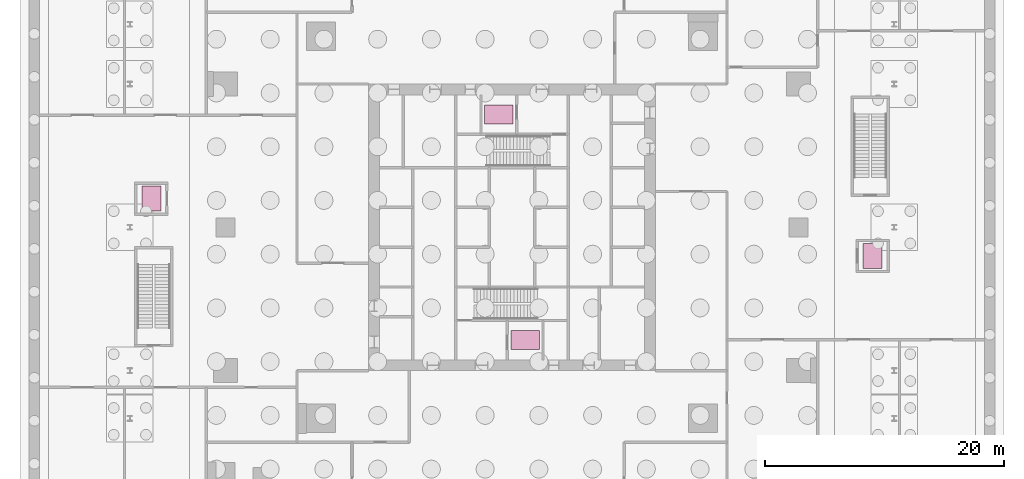
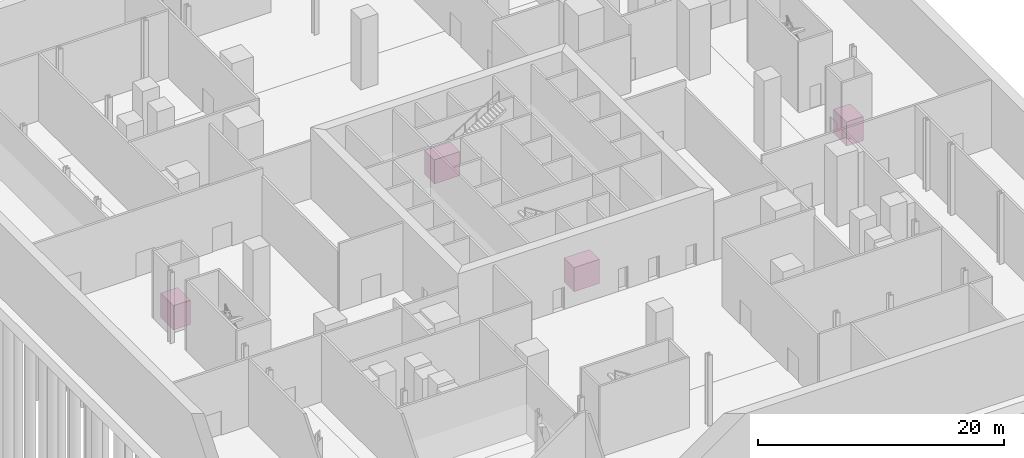
# One storey, part 15 of 15: 4 transport elements.
"""IFC4 building model written with IfcOpenShell, lengths in metres."""

import ifcopenshell
import ifcopenshell.guid

model = None  # the IFC model being written
_history = None  # IfcOwnerHistory: only IFC2X3 demands one
_inside = {}  # id of a spatial element -> (the spatial element, [elements in it])
_under = {}  # id of a project, library or spatial element -> (it, [spatial elements below it])
_declared = {}  # id of a project -> (the project, [libraries it declares])
_typed = {}  # id of a type object -> (the type object, [elements of that type])
_made_of = {}  # id of a material, layer set ... -> (it, [elements and type objects made of it])


def new_model(schema):
    """Start an empty IFC model of exactly this schema.

    Asked for "IFC4X3", IfcOpenShell would pick the latest addendum, in which some entities
    have other attributes; the version numbers below select the first issue.
    IFC2X3 requires an IfcOwnerHistory on every rooted entity: one is made here for all.
    """
    global model, _history
    if schema == "IFC4X3":
        model = ifcopenshell.file(schema_version=(4, 3, 0, 0))
    else:
        model = ifcopenshell.file(schema=schema)
    _inside.clear()
    _under.clear()
    _declared.clear()
    _typed.clear()
    _made_of.clear()
    _history = None
    if model.schema == "IFC2X3":
        org = make("IfcOrganization", Name="unknown")
        user = make(
            "IfcPersonAndOrganization",
            ThePerson=make("IfcPerson", FamilyName="unknown"),
            TheOrganization=org,
        )
        app = make(
            "IfcApplication",
            ApplicationDeveloper=org,
            Version="unknown",
            ApplicationFullName="unknown",
            ApplicationIdentifier="unknown",
        )
        _history = make(
            "IfcOwnerHistory",
            OwningUser=user,
            OwningApplication=app,
            ChangeAction="ADDED",
            CreationDate=0,
        )
    return model


def make(cls, **values):
    """One entity of the class cls with the attributes given. An attribute that is None is left unset."""
    return model.create_entity(
        cls, **{name: value for name, value in values.items() if value is not None}
    )


def rooted(cls, **values):
    """An entity with a GlobalId (a new one), such as an element, a storey or a relation."""
    return make(cls, GlobalId=ifcopenshell.guid.new(), OwnerHistory=_history, **values)


def si_unit(unit_type, name, prefix=None):
    """IfcSIUnit, for example si_unit("LENGTHUNIT", "METRE", prefix="MILLI")."""
    return make("IfcSIUnit", UnitType=unit_type, Prefix=prefix, Name=name)


def assignment(units):
    """IfcUnitAssignment: the units of a project."""
    return None if units is None else make("IfcUnitAssignment", Units=units)


def point(xyz):
    """IfcCartesianPoint."""
    return None if xyz is None else make("IfcCartesianPoint", Coordinates=xyz)


def direction(xyz):
    """IfcDirection."""
    return None if xyz is None else make("IfcDirection", DirectionRatios=xyz)


def frame(location, z_axis=None, x_axis=None):
    """IfcAxis2Placement3D, a coordinate frame: its origin and axes. An axis left out is left unset."""
    return make(
        "IfcAxis2Placement3D",
        Location=point(location),
        Axis=direction(z_axis),
        RefDirection=direction(x_axis),
    )


def frame_2d(location, x_axis=None):
    """IfcAxis2Placement2D, a coordinate frame in the plane: its origin and x axis."""
    return make(
        "IfcAxis2Placement2D", Location=point(location), RefDirection=direction(x_axis)
    )


def origin():
    """The frame at (0, 0, 0) with its axes left unset."""
    return frame((0.0, 0.0, 0.0))


def origin_2d():
    """The frame at (0, 0) in the plane with its x axis left unset."""
    return frame_2d((0.0, 0.0))


def place(relative_to, where):
    """IfcLocalPlacement: puts the frame where relative to a parent placement (None: the world)."""
    return make(
        "IfcLocalPlacement", PlacementRelTo=relative_to, RelativePlacement=where
    )


def context(
    kind, dimensions, precision=None, world=None, true_north=None, identifier=None
):
    """IfcGeometricRepresentationContext, for example the 3D "Model" context."""
    return make(
        "IfcGeometricRepresentationContext",
        ContextIdentifier=identifier,
        ContextType=kind,
        CoordinateSpaceDimension=dimensions,
        Precision=precision,
        WorldCoordinateSystem=world,
        TrueNorth=true_north,
    )


def subcontext(parent, identifier, kind, view, scale=None):
    """IfcGeometricRepresentationSubContext, for example "Body" below "Model"."""
    return make(
        "IfcGeometricRepresentationSubContext",
        ContextIdentifier=identifier,
        ContextType=kind,
        ParentContext=parent,
        TargetScale=scale,
        TargetView=view,
    )


def project(units=None, contexts=None):
    """IfcProject with its units and contexts."""
    return rooted(
        "IfcProject",
        Name="project",
        RepresentationContexts=contexts,
        UnitsInContext=assignment(units),
    )


def spatial(cls, under=None, at=None, **own):
    """A site, building, storey or space (cls), placed at a placement, below another one or the project."""
    s = rooted(cls, ObjectPlacement=at, **own)
    if under is not None:
        _under.setdefault(under.id(), (under, []))[1].append(s)
    return s


def profile(cls, at=None, kind="AREA", **sizes):
    """A parametric profile (cls). Its sizes go by their IFC names, for example OverallWidth=200.0."""
    return make(cls, ProfileType=kind, Position=at, **sizes)


def rectangle(**sizes):
    """IfcRectangleProfileDef."""
    return profile("IfcRectangleProfileDef", **sizes)


def extrude(swept, where, along, depth):
    """IfcExtrudedAreaSolid: the profile swept, set in the frame where, extruded along a direction by depth."""
    return make(
        "IfcExtrudedAreaSolid",
        SweptArea=swept,
        Position=where,
        ExtrudedDirection=direction(along),
        Depth=depth,
    )


def shape(context_of_items, identifier, shape_type, items):
    """IfcShapeRepresentation: the items that make up one representation, for example the "Body"."""
    return make(
        "IfcShapeRepresentation",
        ContextOfItems=context_of_items,
        RepresentationIdentifier=identifier,
        RepresentationType=shape_type,
        Items=items,
    )


def material(Name=None, Category=None):
    """IfcMaterial."""
    return make("IfcMaterial", Name=Name, Category=Category)


def made_of(thing, what):
    """Note that an element or type object is made of a material, layer set ...; save() writes the relation."""
    if what is not None:
        _made_of.setdefault(what.id(), (what, []))[1].append(thing)
    return thing


def type_object(cls, material=None, **own):
    """A type object (cls), such as IfcWallType, which elements share."""
    return made_of(rooted(cls, **own), material)


def element(
    cls,
    number,
    at=None,
    inside=None,
    cuts=None,
    type_object=None,
    material=None,
    context=None,
    identifier="Body",
    shape_type=None,
    held_by="IfcProductDefinitionShape",
    body=None,
    shapes=None,
    **own,
):
    """One element of the class cls, such as IfcWall. Its Tag is "e" and its number.

    at: its placement. inside: the storey or other place that contains it. cuts: it is an
    opening in that element (IfcRelVoidsElement). A single representation is given by context,
    identifier, shape_type and body (its items); several are given by shapes. held_by: the class
    of the entity that holds the representations. save() writes the other relations.
    """
    e = rooted(cls, Tag="e%d" % number, ObjectPlacement=at, **own)
    if body is not None:
        shapes = [shape(context, identifier, shape_type, body)]
    if shapes is not None:
        e.Representation = make(held_by, Representations=shapes)
    if inside is not None:
        _inside.setdefault(inside.id(), (inside, []))[1].append(e)
    if cuts is not None:
        rooted(
            "IfcRelVoidsElement", RelatingBuildingElement=cuts, RelatedOpeningElement=e
        )
    if type_object is not None:
        _typed.setdefault(type_object.id(), (type_object, []))[1].append(e)
    return made_of(e, material)


def aggregate(whole, parts):
    """IfcRelAggregates: a whole, such as a stair, and the parts it consists of."""
    return rooted("IfcRelAggregates", RelatingObject=whole, RelatedObjects=parts)


def save(model, path):
    """Write the relations noted so far, then the file.

    IfcRelAggregates (storeys below a building ...), IfcRelContainedInSpatialStructure (elements
    in a storey), IfcRelDefinesByType, IfcRelAssociatesMaterial and IfcRelDeclares: one each for
    every whole, place, type object, material and project.
    """
    for whole, parts in _under.values():
        aggregate(whole, parts)
    for where, things in _inside.values():
        rooted(
            "IfcRelContainedInSpatialStructure",
            RelatedElements=things,
            RelatingStructure=where,
        )
    for kind, things in _typed.values():
        rooted("IfcRelDefinesByType", RelatedObjects=things, RelatingType=kind)
    for what, things in _made_of.values():
        rooted("IfcRelAssociatesMaterial", RelatedObjects=things, RelatingMaterial=what)
    for by, libraries in _declared.values():
        rooted("IfcRelDeclares", RelatingContext=by, RelatedDefinitions=libraries)
    model.write(path)


model = new_model("IFC4")

# Units and contexts
model_context = context("Model", 3, precision=1e-05, world=origin(), true_north=direction((0.0, 1.0)))
body_context = subcontext(model_context, "Body", "Model", "MODEL_VIEW")
ifc_project = project(units=[si_unit("LENGTHUNIT", "METRE"), si_unit("AREAUNIT", "SQUARE_METRE"), si_unit("VOLUMEUNIT", "CUBIC_METRE"), si_unit("PLANEANGLEUNIT", "RADIAN"), si_unit("MASSUNIT", "GRAM", prefix="KILO")], contexts=[model_context])

# Site, building, storey
site_placement = place(None, origin())
site = spatial("IfcSite", under=ifc_project, at=site_placement, CompositionType="ELEMENT")
building_placement = place(site_placement, origin())
building = spatial("IfcBuilding", under=site, at=building_placement, Name="Fenwick Lantern Interchange", CompositionType="ELEMENT")
storey_placement = place(building_placement, frame((0.0, 0.0, -7.0)))
storey = spatial("IfcBuildingStorey", under=building, at=storey_placement, Name="B-1", CompositionType="ELEMENT", Elevation=-7.0)

# Transport elements
ifc_material = material(Name="Steel lift car", Category="steel")
transport_element_type_1 = type_object("IfcTransportElementType", Name="FIREFIGHTING LIFT 2000 KG", PredefinedType="ELEVATOR", material=ifc_material)
for number, where, z_axis, x_axis, name in (
    (1, (26.10009765625, 15.550048828125, 0.0), (0.0, 0.0, 1.0), (1.0, 0.0, 0.0), "Firefighting lift FL1"),
    (2, (23.89990234375, 34.449951171875, 0.0), (0.0, 0.0, 1.0), (1.0, 0.0, 0.0), "Firefighting lift FL2"),
):
    element("IfcTransportElement", number, at=place(storey_placement, frame(where, z_axis=z_axis, x_axis=x_axis)), inside=storey, type_object=transport_element_type_1, Name=name, PredefinedType="ELEVATOR", context=body_context, shape_type="SweptSolid", body=[
        extrude(rectangle(XDim=2.39990234375, YDim=1.60009765625, at=origin_2d()), origin(), (0.0, 0.0, 1.0), 2.39990234375),
    ])
transport_element_type_2 = type_object("IfcTransportElementType", Name="PODIUM PASSENGER LIFT 1600 KG", PredefinedType="ELEVATOR", material=ifc_material)
for number, where, z_axis, x_axis, name in (
    (3, (-5.199951171875, 27.39990234375, 0.0), (0.0, 0.0, 1.0), (1.0, 0.0, 0.0), "Podium passenger lift PL1"),
    (4, (55.199951171875, 22.60009765625, 0.0), (0.0, 0.0, 1.0), (1.0, 0.0, 0.0), "Podium passenger lift PL2"),
):
    element("IfcTransportElement", number, at=place(storey_placement, frame(where, z_axis=z_axis, x_axis=x_axis)), inside=storey, type_object=transport_element_type_2, Name=name, PredefinedType="ELEVATOR", context=body_context, shape_type="SweptSolid", body=[
        extrude(rectangle(XDim=1.60009765625, YDim=2.10009765625, at=origin_2d()), origin(), (0.0, 0.0, 1.0), 2.39990234375),
    ])

save(model, "model.ifc")
